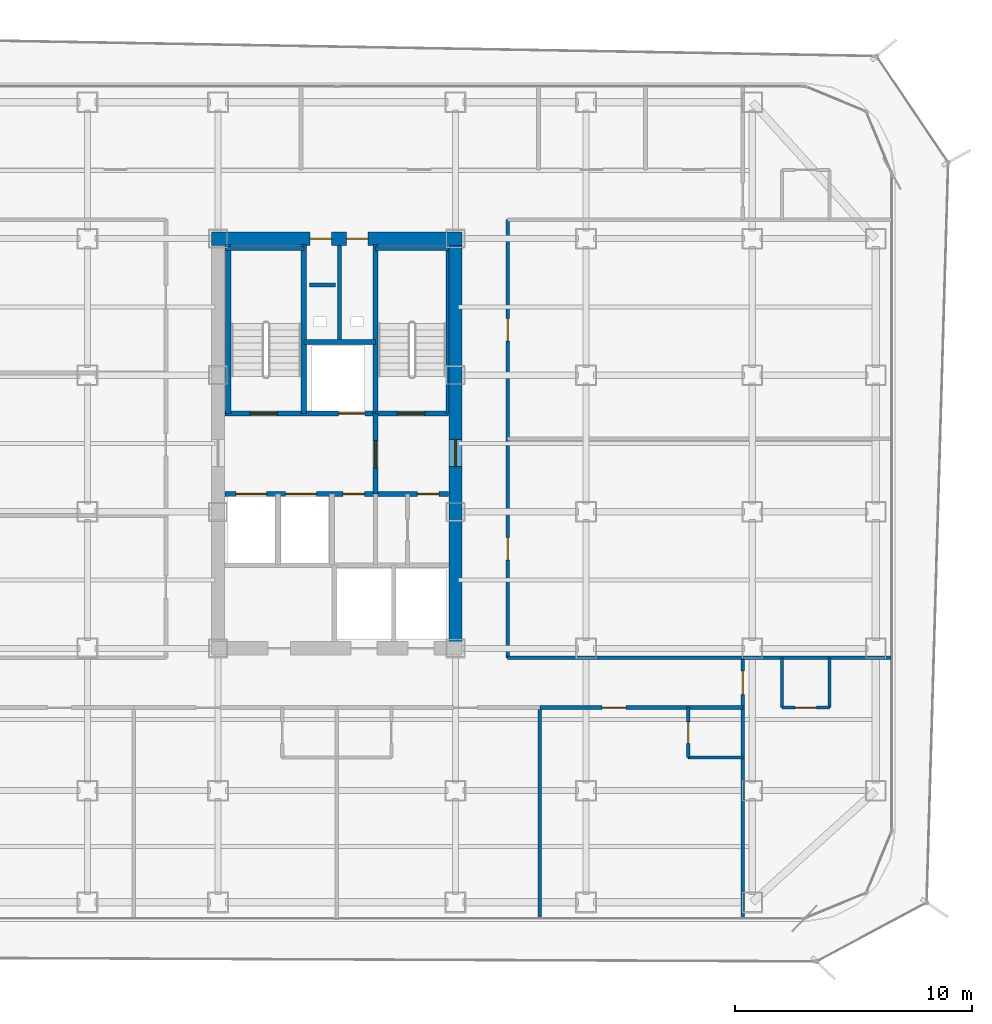
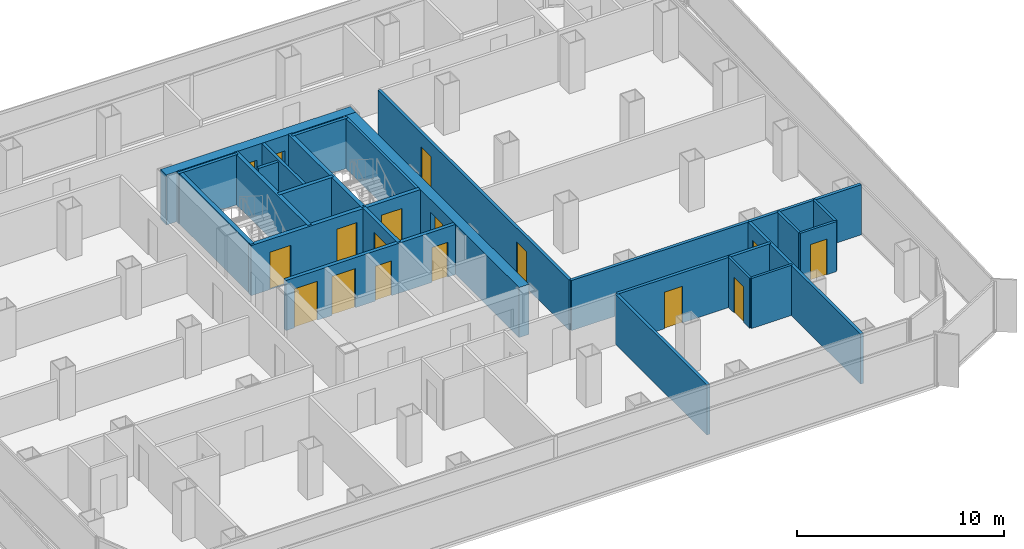
# One storey, part 17 of 21: 27 walls, 17 doors, 17 openings.
"""IFC4 building model written with IfcOpenShell, lengths in metres."""

from ifc_helpers import new_model, si_unit, direction, frame, frame_2d, origin, place, context, subcontext, project, spatial, rectangle, extrude, material, layer, layer_set, type_object, element, fill, save


model = new_model("IFC4")

# Units and contexts
model_context = context("Model", 3, precision=1e-05, world=origin(), true_north=direction((0.0, 1.0)))
body_context = subcontext(model_context, "Body", "Model", "MODEL_VIEW")
ifc_project = project(units=[si_unit("LENGTHUNIT", "METRE"), si_unit("AREAUNIT", "SQUARE_METRE"), si_unit("VOLUMEUNIT", "CUBIC_METRE"), si_unit("PLANEANGLEUNIT", "RADIAN"), si_unit("MASSUNIT", "GRAM", prefix="KILO")], contexts=[model_context])

# Site, building, storey
site_placement = place(None, origin())
site = spatial("IfcSite", under=ifc_project, at=site_placement, CompositionType="ELEMENT")
building_placement = place(site_placement, origin())
building = spatial("IfcBuilding", under=site, at=building_placement, Name="Kolveth Station Tower", CompositionType="ELEMENT")
storey_placement = place(building_placement, frame((0.0, 0.0, 108.699951171875)))
storey = spatial("IfcBuildingStorey", under=building, at=storey_placement, Name="L29", CompositionType="ELEMENT", Elevation=108.699951171875)

# Wall, openings, doors
ifc_material_1 = material(Name="Concrete C60/75", Category="concrete")
ifc_layer_1 = layer(ifc_material_1, 0.550048828125)
ifc_layer_set_1 = layer_set([ifc_layer_1], Name="Concrete C60/75")
wall_type_1 = type_object("IfcWallType", Name="Wall_CW-550", PredefinedType="SHEAR", material=ifc_layer_set_1)
wall_1_placement = place(storey_placement, frame((18.22509765625, 28.75, 0.0), z_axis=(0.0, 0.0, 1.0), x_axis=(1.0, 0.0, 0.0)))
wall_1 = element("IfcWall", 1, at=wall_1_placement, inside=storey, type_object=wall_type_1, Name="L29 Core RC Shear Wall N", PredefinedType="SHEAR", context=body_context, shape_type="SweptSolid", body=[
    extrude(rectangle(XDim=10.5498046875, YDim=0.550048828125, at=frame_2d((5.27490234375, 0.0))), origin(), (0.0, 0.0, 1.0), 2.949951171875),
])
opening_1_placement = place(wall_1_placement, frame((4.155029296875, 0.0, 0.0)))
opening_1 = element("IfcOpeningElement", 2, at=opening_1_placement, cuts=wall_1, Name="Opening RD1", PredefinedType="OPENING", context=body_context, shape_type="SweptSolid", body=[
    extrude(rectangle(XDim=0.89990234375, YDim=2.050048828125, at=frame_2d((0.449951171875, 1.02490234375))), frame((0.0, 0.284912109375, 0.0), z_axis=(0.0, -1.0, 0.0), x_axis=(1.0, 0.0, 0.0)), (0.0, 0.0, 1.0), 0.570068359375),
])
opening_2_placement = place(wall_1_placement, frame((5.695068359375, 0.0, 0.0)))
opening_2 = element("IfcOpeningElement", 3, at=opening_2_placement, cuts=wall_1, Name="Opening RD1", PredefinedType="OPENING", context=body_context, shape_type="SweptSolid", body=[
    extrude(rectangle(XDim=0.89990234375, YDim=2.050048828125, at=frame_2d((0.449951171875, 1.02490234375))), frame((0.0, 0.284912109375, 0.0), z_axis=(0.0, -1.0, 0.0), x_axis=(1.0, 0.0, 0.0)), (0.0, 0.0, 1.0), 0.570068359375),
])
ifc_material_2 = material(Name="Fire-rated Steel S355 riser access leaf", Category="steel")
door_type_1 = type_object("IfcDoorType", Name="Door_RD1", OperationType="NOTDEFINED", PredefinedType="DOOR", material=ifc_material_2)
door_1_placement = place(opening_1_placement, origin())
door_1 = element("IfcDoor", 4, at=door_1_placement, inside=storey, type_object=door_type_1, Name="L29 Electrical Riser Access Door", OperationType="SINGLE_SWING_LEFT", OverallHeight=2.050048828125, OverallWidth=0.89990234375, PredefinedType="DOOR", context=body_context, shape_type="SweptSolid", body=[
    extrude(rectangle(XDim=0.89990234375, YDim=2.050048828125, at=frame_2d((0.449951171875, 1.02490234375))), frame((0.0, 0.02490234375, 0.0), z_axis=(0.0, -1.0, 0.0), x_axis=(1.0, 0.0, 0.0)), (0.0, 0.0, 1.0), 0.050048828125),
])
fill(opening_1, door_1)
door_2_placement = place(opening_2_placement, origin())
door_2 = element("IfcDoor", 5, at=door_2_placement, inside=storey, type_object=door_type_1, Name="L29 Smoke Duct Access Door", OperationType="SINGLE_SWING_LEFT", OverallHeight=2.050048828125, OverallWidth=0.89990234375, PredefinedType="DOOR", context=body_context, shape_type="SweptSolid", body=[
    extrude(rectangle(XDim=0.89990234375, YDim=2.050048828125, at=frame_2d((0.449951171875, 1.02490234375))), frame((0.0, 0.02490234375, 0.0), z_axis=(0.0, -1.0, 0.0), x_axis=(1.0, 0.0, 0.0)), (0.0, 0.0, 1.0), 0.050048828125),
])
fill(opening_2, door_2)

# Wall, opening, door
wall_2_placement = place(storey_placement, frame((28.5, 11.77490234375, 0.0), z_axis=(0.0, 0.0, 1.0), x_axis=(0.0, 1.0, 0.0)))
wall_2 = element("IfcWall", 6, at=wall_2_placement, inside=storey, type_object=wall_type_1, Name="L29 Core RC Shear Wall E", PredefinedType="SHEAR", context=body_context, shape_type="SweptSolid", body=[
    extrude(rectangle(XDim=16.7001953125, YDim=0.550048828125, at=frame_2d((8.35009765625, 0.0))), origin(), (0.0, 0.0, 1.0), 2.949951171875),
])
opening_3_placement = place(wall_2_placement, frame((7.375, 0.0, 0.0)))
opening_3 = element("IfcOpeningElement", 7, at=opening_3_placement, cuts=wall_2, Name="Opening FD1", PredefinedType="OPENING", context=body_context, shape_type="SweptSolid", body=[
    extrude(rectangle(XDim=1.14990234375, YDim=2.199951171875, at=frame_2d((0.574951171875, 1.10009765625))), frame((0.0, 0.284912109375, 0.0), z_axis=(0.0, -1.0, 0.0), x_axis=(1.0, 0.0, 0.0)), (0.0, 0.0, 1.0), 0.570068359375),
])
ifc_material_3 = material(Name="Fire-rated Steel S355 leaf and frame", Category="steel")
door_type_2 = type_object("IfcDoorType", Name="Door_FD1", OperationType="NOTDEFINED", PredefinedType="DOOR", material=ifc_material_3)
door_3_placement = place(opening_3_placement, origin())
door_3 = element("IfcDoor", 8, at=door_3_placement, inside=storey, type_object=door_type_2, Name="L29 East Corridor to Stair Lobby Door", OperationType="SINGLE_SWING_RIGHT", OverallHeight=2.199951171875, OverallWidth=1.14990234375, PredefinedType="DOOR", context=body_context, shape_type="SweptSolid", body=[
    extrude(rectangle(XDim=1.14990234375, YDim=2.199951171875, at=frame_2d((0.574951171875, 1.10009765625))), frame((0.0, 0.02490234375, 0.0), z_axis=(0.0, -1.0, 0.0), x_axis=(1.0, 0.0, 0.0)), (0.0, 0.0, 1.0), 0.050048828125),
])
fill(opening_3, door_3)

# Walls
ifc_material_4 = material(Name="Moisture-resistant gypsum partition")
ifc_layer_2 = layer(ifc_material_4, 0.135009765625)
ifc_layer_set_2 = layer_set([ifc_layer_2], Name="Moisture-resistant gypsum partition")
wall_type_2 = type_object("IfcWallType", Name="Wall_IW-135", PredefinedType="PARTITIONING", material=ifc_layer_set_2)
wall_3_placement = place(storey_placement, frame((28.16748046875, 21.389892578125, 0.0), z_axis=(0.0, 0.0, 1.0), x_axis=(0.0, 1.0, 0.0)))
element("IfcWall", 9, at=wall_3_placement, inside=storey, type_object=wall_type_2, Name="L29 Stair Shaft Wall WL-L29-ST2-E", PredefinedType="PARTITIONING", context=body_context, shape_type="SweptSolid", body=[
    extrude(rectangle(XDim=6.945068359375, YDim=0.135009765625, at=frame_2d((3.47265625, 0.0))), origin(), (0.0, 0.0, 1.0), 2.949951171875),
])
for number, where, z_axis, x_axis, name in (
    (10, (42.25, 9.0, 0.0), (0.0, 0.0, 1.0), (0.0, 1.0, 0.0), "L29 Partition Wall WL-L29-ES1-BV1"),
    (11, (44.25, 9.0, 0.0), (0.0, 0.0, 1.0), (0.0, 1.0, 0.0), "L29 Partition Wall WL-L29-ES1-BV2"),
):
    element("IfcWall", number, at=place(storey_placement, frame(where, z_axis=z_axis, x_axis=x_axis)), inside=storey, type_object=wall_type_2, Name=name, PredefinedType="PARTITIONING", context=body_context, shape_type="SweptSolid", body=[
        extrude(rectangle(XDim=2.10009765625, YDim=0.135009765625, at=frame_2d((1.050048828125, 0.0))), origin(), (0.0, 0.0, 1.0), 2.949951171875),
    ])

# Wall, opening, door
wall_4_placement = place(storey_placement, frame((42.25, 9.0, 0.0), z_axis=(0.0, 0.0, 1.0), x_axis=(1.0, 0.0, 0.0)))
wall_4 = element("IfcWall", 12, at=wall_4_placement, inside=storey, type_object=wall_type_2, Name="L29 Partition Wall WL-L29-ES1-BH", PredefinedType="PARTITIONING", context=body_context, shape_type="SweptSolid", body=[
    extrude(rectangle(XDim=2.0, YDim=0.135009765625, at=frame_2d((1.0, 0.0))), origin(), (0.0, 0.0, 1.0), 2.949951171875),
])
opening_4_placement = place(wall_4_placement, frame((0.5400390625, 0.0, 0.0)))
opening_4 = element("IfcOpeningElement", 13, at=opening_4_placement, cuts=wall_4, Name="Opening ID2", PredefinedType="OPENING", context=body_context, shape_type="SweptSolid", body=[
    extrude(rectangle(XDim=0.919921875, YDim=2.10009765625, at=frame_2d((0.4599609375, 1.050048828125))), frame((0.0, 0.077392578125, 0.0), z_axis=(0.0, -1.0, 0.0), x_axis=(1.0, 0.0, 0.0)), (0.0, 0.0, 1.0), 0.155029296875),
])
ifc_material_5 = material(Name="Moisture-resistant hardwood leaf", Category="wood")
door_type_3 = type_object("IfcDoorType", Name="Door_ID2", OperationType="NOTDEFINED", PredefinedType="DOOR", material=ifc_material_5)
door_4_placement = place(opening_4_placement, origin())
door_4 = element("IfcDoor", 14, at=door_4_placement, inside=storey, type_object=door_type_3, Name="L29 Hotel Guest Room ES1 En-Suite Door", OperationType="SINGLE_SWING_RIGHT", OverallHeight=2.10009765625, OverallWidth=0.919921875, PredefinedType="DOOR", context=body_context, shape_type="SweptSolid", body=[
    extrude(rectangle(XDim=0.919921875, YDim=2.10009765625, at=frame_2d((0.4599609375, 1.050048828125))), frame((0.0, 0.02490234375, 0.0), z_axis=(0.0, -1.0, 0.0), x_axis=(1.0, 0.0, 0.0)), (0.0, 0.0, 1.0), 0.050048828125),
])
fill(opening_4, door_4)

wall_5_placement = place(storey_placement, frame((38.300048828125, 6.89990234375, 0.0), z_axis=(0.0, 0.0, 1.0), x_axis=(0.0, 1.0, 0.0)))
wall_5 = element("IfcWall", 15, at=wall_5_placement, inside=storey, type_object=wall_type_2, Name="L29 Partition Wall WL-L29-HS4-BV", PredefinedType="PARTITIONING", context=body_context, shape_type="SweptSolid", body=[
    extrude(rectangle(XDim=2.10009765625, YDim=0.135009765625, at=frame_2d((1.050048828125, 0.0))), origin(), (0.0, 0.0, 1.0), 2.949951171875),
])
opening_5_placement = place(wall_5_placement, frame((0.580078125, 0.0, 0.0)))
opening_5 = element("IfcOpeningElement", 16, at=opening_5_placement, cuts=wall_5, Name="Opening ID2", PredefinedType="OPENING", context=body_context, shape_type="SweptSolid", body=[
    extrude(rectangle(XDim=0.919921875, YDim=2.10009765625, at=frame_2d((0.4599609375, 1.050048828125))), frame((0.0, 0.077392578125, 0.0), z_axis=(0.0, -1.0, 0.0), x_axis=(1.0, 0.0, 0.0)), (0.0, 0.0, 1.0), 0.155029296875),
])
door_5_placement = place(opening_5_placement, origin())
door_5 = element("IfcDoor", 17, at=door_5_placement, inside=storey, type_object=door_type_3, Name="L29 Hotel Corner Suite HS4 En-Suite Door", OperationType="SINGLE_SWING_RIGHT", OverallHeight=2.10009765625, OverallWidth=0.919921875, PredefinedType="DOOR", context=body_context, shape_type="SweptSolid", body=[
    extrude(rectangle(XDim=0.919921875, YDim=2.10009765625, at=frame_2d((0.4599609375, 1.050048828125))), frame((0.0, 0.02490234375, 0.0), z_axis=(0.0, -1.0, 0.0), x_axis=(1.0, 0.0, 0.0)), (0.0, 0.0, 1.0), 0.050048828125),
])
fill(opening_5, door_5)

# Walls
wall_6_placement = place(storey_placement, frame((38.300048828125, 6.89990234375, 0.0), z_axis=(0.0, 0.0, 1.0), x_axis=(1.0, 0.0, 0.0)))
element("IfcWall", 18, at=wall_6_placement, inside=storey, type_object=wall_type_2, Name="L29 Partition Wall WL-L29-HS4-BH", PredefinedType="PARTITIONING", context=body_context, shape_type="SweptSolid", body=[
    extrude(rectangle(XDim=2.300048828125, YDim=0.135009765625, at=frame_2d((1.14990234375, 0.0))), origin(), (0.0, 0.0, 1.0), 2.949951171875),
])
ifc_material_6 = material(Name="Acoustic double-stud gypsum partition")
ifc_layer_3 = layer(ifc_material_6, 0.1650390625)
ifc_layer_set_3 = layer_set([ifc_layer_3], Name="Acoustic double-stud gypsum partition")
wall_type_3 = type_object("IfcWallType", Name="Wall_IW-165", PredefinedType="PARTITIONING", material=ifc_layer_set_3)
wall_7_placement = place(storey_placement, frame((18.784912109375, 28.3349609375, 0.0), z_axis=(0.0, 0.0, 1.0), x_axis=(1.0, 0.0, 0.0)))
element("IfcWall", 19, at=wall_7_placement, inside=storey, type_object=wall_type_3, Name="L29 Stair Shaft Wall WL-L29-ST1-N", PredefinedType="PARTITIONING", context=body_context, shape_type="SweptSolid", body=[
    extrude(rectangle(XDim=3.3251953125, YDim=0.1650390625, at=frame_2d((1.66259765625, 0.0))), origin(), (0.0, 0.0, 1.0), 2.949951171875),
])
wall_8_placement = place(storey_placement, frame((25.1298828125, 28.3349609375, 0.0), z_axis=(0.0, 0.0, 1.0), x_axis=(1.0, 0.0, 0.0)))
element("IfcWall", 20, at=wall_8_placement, inside=storey, type_object=wall_type_3, Name="L29 Stair Shaft Wall WL-L29-ST2-N", PredefinedType="PARTITIONING", context=body_context, shape_type="SweptSolid", body=[
    extrude(rectangle(XDim=3.085205078125, YDim=0.1650390625, at=frame_2d((1.54248046875, 0.0))), origin(), (0.0, 0.0, 1.0), 2.949951171875),
])
wall_9_placement = place(storey_placement, frame((23.6201171875, 24.39990234375, 0.0), z_axis=(0.0, 0.0, 1.0), x_axis=(0.0, 1.0, 0.0)))
element("IfcWall", 21, at=wall_9_placement, inside=storey, type_object=wall_type_3, Name="L29 Partition Wall WL-L29-RSR-M", PredefinedType="PARTITIONING", context=body_context, shape_type="SweptSolid", body=[
    extrude(rectangle(XDim=4.065185546875, YDim=0.1650390625, at=frame_2d((2.03271484375, 0.0))), origin(), (0.0, 0.0, 1.0), 2.949951171875),
])
wall_10_placement = place(storey_placement, frame((30.699951171875, 11.10009765625, 0.0), z_axis=(0.0, 0.0, 1.0), x_axis=(1.0, 0.0, 0.0)))
element("IfcWall", 22, at=wall_10_placement, inside=storey, type_object=wall_type_3, Name="L29 Partition Wall WL-L29-HSET", PredefinedType="PARTITIONING", context=body_context, shape_type="SweptSolid", body=[
    extrude(rectangle(XDim=9.900146484375, YDim=0.1650390625, at=frame_2d((4.9501953125, 0.0))), origin(), (0.0, 0.0, 1.0), 2.949951171875),
])

# Wall, openings, doors
wall_11_placement = place(storey_placement, frame((30.699951171875, 11.10009765625, 0.0), z_axis=(0.0, 0.0, 1.0), x_axis=(0.0, 1.0, 0.0)))
wall_11 = element("IfcWall", 23, at=wall_11_placement, inside=storey, type_object=wall_type_3, Name="L29 Partition Wall WL-L29-HE", PredefinedType="PARTITIONING", context=body_context, shape_type="SweptSolid", body=[
    extrude(rectangle(XDim=18.449951171875, YDim=0.1650390625, at=frame_2d((9.22509765625, 0.0))), origin(), (0.0, 0.0, 1.0), 2.949951171875),
])
opening_6_placement = place(wall_11_placement, frame((4.112060546875, 0.0, 0.0)))
opening_6 = element("IfcOpeningElement", 24, at=opening_6_placement, cuts=wall_11, Name="Opening ID1", PredefinedType="OPENING", context=body_context, shape_type="SweptSolid", body=[
    extrude(rectangle(XDim=0.949951171875, YDim=2.14990234375, at=frame_2d((0.47509765625, 1.074951171875))), frame((0.0, 0.092529296875, 0.0), z_axis=(0.0, -1.0, 0.0), x_axis=(1.0, 0.0, 0.0)), (0.0, 0.0, 1.0), 0.18505859375),
])
opening_7_placement = place(wall_11_placement, frame((13.337890625, 0.0, 0.0)))
opening_7 = element("IfcOpeningElement", 25, at=opening_7_placement, cuts=wall_11, Name="Opening ID1", PredefinedType="OPENING", context=body_context, shape_type="SweptSolid", body=[
    extrude(rectangle(XDim=0.949951171875, YDim=2.14990234375, at=frame_2d((0.47509765625, 1.074951171875))), frame((0.0, 0.092529296875, 0.0), z_axis=(0.0, -1.0, 0.0), x_axis=(1.0, 0.0, 0.0)), (0.0, 0.0, 1.0), 0.18505859375),
])
ifc_material_7 = material(Name="Acoustic hardwood leaf and aluminium frame", Category="wood")
door_type_4 = type_object("IfcDoorType", Name="Door_ID1", OperationType="NOTDEFINED", PredefinedType="DOOR", material=ifc_material_7)
door_6_placement = place(opening_6_placement, origin())
door_6 = element("IfcDoor", 26, at=door_6_placement, inside=storey, type_object=door_type_4, Name="L29 Boardroom East 1 Door", OperationType="SINGLE_SWING_LEFT", OverallHeight=2.14990234375, OverallWidth=0.949951171875, PredefinedType="DOOR", context=body_context, shape_type="SweptSolid", body=[
    extrude(rectangle(XDim=0.949951171875, YDim=2.14990234375, at=frame_2d((0.47509765625, 1.074951171875))), frame((0.0, 0.02490234375, 0.0), z_axis=(0.0, -1.0, 0.0), x_axis=(1.0, 0.0, 0.0)), (0.0, 0.0, 1.0), 0.050048828125),
])
fill(opening_6, door_6)
door_7_placement = place(opening_7_placement, origin())
door_7 = element("IfcDoor", 27, at=door_7_placement, inside=storey, type_object=door_type_4, Name="L29 Boardroom East 2 Door", OperationType="SINGLE_SWING_RIGHT", OverallHeight=2.14990234375, OverallWidth=0.949951171875, PredefinedType="DOOR", context=body_context, shape_type="SweptSolid", body=[
    extrude(rectangle(XDim=0.949951171875, YDim=2.14990234375, at=frame_2d((0.47509765625, 1.074951171875))), frame((0.0, 0.02490234375, 0.0), z_axis=(0.0, -1.0, 0.0), x_axis=(1.0, 0.0, 0.0)), (0.0, 0.0, 1.0), 0.050048828125),
])
fill(opening_7, door_7)

# Wall, opening, door
wall_12_placement = place(storey_placement, frame((40.60009765625, 0.159912109375, 0.0), z_axis=(0.0, 0.0, 1.0), x_axis=(0.0, 1.0, 0.0)))
wall_12 = element("IfcWall", 28, at=wall_12_placement, inside=storey, type_object=wall_type_3, Name="L29 Partition Wall WL-L29-END-ES", PredefinedType="PARTITIONING", context=body_context, shape_type="SweptSolid", body=[
    extrude(rectangle(XDim=10.940185546875, YDim=0.1650390625, at=frame_2d((5.47021484375, 0.0))), origin(), (0.0, 0.0, 1.0), 2.949951171875),
])
opening_8_placement = place(wall_12_placement, frame((9.389892578125, 0.0, 0.0)))
opening_8 = element("IfcOpeningElement", 29, at=opening_8_placement, cuts=wall_12, Name="Opening FD3", PredefinedType="OPENING", context=body_context, shape_type="SweptSolid", body=[
    extrude(rectangle(XDim=1.0, YDim=2.14990234375, at=frame_2d((0.5, 1.074951171875))), frame((0.0, 0.092529296875, 0.0), z_axis=(0.0, -1.0, 0.0), x_axis=(1.0, 0.0, 0.0)), (0.0, 0.0, 1.0), 0.18505859375),
])
ifc_material_8 = material(Name="Fire-rated hardwood leaf and aluminium frame", Category="wood")
door_type_5 = type_object("IfcDoorType", Name="Door_FD3", OperationType="NOTDEFINED", PredefinedType="DOOR", material=ifc_material_8)
door_8_placement = place(opening_8_placement, frame((1.0, 0.0, 0.0), z_axis=(0.0, 0.0, 1.0), x_axis=(-1.0, 0.0, 0.0)))
door_8 = element("IfcDoor", 30, at=door_8_placement, inside=storey, type_object=door_type_5, Name="L29 Hotel Guest Room ES1 Entrance Door", OperationType="SINGLE_SWING_LEFT", OverallHeight=2.14990234375, OverallWidth=1.0, PredefinedType="DOOR", context=body_context, shape_type="SweptSolid", body=[
    extrude(rectangle(XDim=1.0, YDim=2.14990234375, at=frame_2d((0.5, 1.074951171875))), frame((0.0, 0.02490234375, 0.0), z_axis=(0.0, -1.0, 0.0), x_axis=(1.0, 0.0, 0.0)), (0.0, 0.0, 1.0), 0.050048828125),
])
fill(opening_8, door_8)

# Walls
wall_13_placement = place(storey_placement, frame((40.60009765625, 11.10009765625, 0.0), z_axis=(0.0, 0.0, 1.0), x_axis=(1.0, 0.0, 0.0)))
element("IfcWall", 31, at=wall_13_placement, inside=storey, type_object=wall_type_3, Name="L29 Partition Wall WL-L29-EM1", PredefinedType="PARTITIONING", context=body_context, shape_type="SweptSolid", body=[
    extrude(rectangle(XDim=6.239990234375, YDim=0.1650390625, at=frame_2d((3.1201171875, 0.0))), origin(), (0.0, 0.0, 1.0), 2.949951171875),
])
wall_14_placement = place(storey_placement, frame((32.050048828125, 0.159912109375, 0.0), z_axis=(0.0, 0.0, 1.0), x_axis=(0.0, 1.0, 0.0)))
element("IfcWall", 32, at=wall_14_placement, inside=storey, type_object=wall_type_3, Name="L29 Partition Wall WL-L29-HSK-3", PredefinedType="PARTITIONING", context=body_context, shape_type="SweptSolid", body=[
    extrude(rectangle(XDim=8.840087890625, YDim=0.1650390625, at=frame_2d((4.419921875, 0.0))), origin(), (0.0, 0.0, 1.0), 2.949951171875),
])
wall_15_placement = place(storey_placement, frame((38.300048828125, 9.0, 0.0), z_axis=(0.0, 0.0, 1.0), x_axis=(1.0, 0.0, 0.0)))
element("IfcWall", 33, at=wall_15_placement, inside=storey, type_object=wall_type_3, Name="L29 Partition Wall WL-L29-HS4-BCOR", PredefinedType="PARTITIONING", context=body_context, shape_type="SweptSolid", body=[
    extrude(rectangle(XDim=2.300048828125, YDim=0.1650390625, at=frame_2d((1.14990234375, 0.0))), origin(), (0.0, 0.0, 1.0), 2.949951171875),
])

# Wall, opening, door
wall_16_placement = place(storey_placement, frame((32.050048828125, 9.0, 0.0), z_axis=(0.0, 0.0, 1.0), x_axis=(1.0, 0.0, 0.0)))
wall_16 = element("IfcWall", 34, at=wall_16_placement, inside=storey, type_object=wall_type_3, Name="L29 Partition Wall WL-L29-HS4-RCOR", PredefinedType="PARTITIONING", context=body_context, shape_type="SweptSolid", body=[
    extrude(rectangle(XDim=6.25, YDim=0.1650390625, at=frame_2d((3.125, 0.0))), origin(), (0.0, 0.0, 1.0), 2.949951171875),
])
opening_9_placement = place(wall_16_placement, frame((2.625, 0.0, 0.0)))
opening_9 = element("IfcOpeningElement", 35, at=opening_9_placement, cuts=wall_16, Name="Opening FD3", PredefinedType="OPENING", context=body_context, shape_type="SweptSolid", body=[
    extrude(rectangle(XDim=1.0, YDim=2.14990234375, at=frame_2d((0.5, 1.074951171875))), frame((0.0, 0.092529296875, 0.0), z_axis=(0.0, -1.0, 0.0), x_axis=(1.0, 0.0, 0.0)), (0.0, 0.0, 1.0), 0.18505859375),
])
door_9_placement = place(opening_9_placement, frame((1.0, 0.0, 0.0), z_axis=(0.0, 0.0, 1.0), x_axis=(-1.0, 0.0, 0.0)))
door_9 = element("IfcDoor", 36, at=door_9_placement, inside=storey, type_object=door_type_5, Name="L29 Hotel Corner Suite HS4 Entrance Door", OperationType="SINGLE_SWING_LEFT", OverallHeight=2.14990234375, OverallWidth=1.0, PredefinedType="DOOR", context=body_context, shape_type="SweptSolid", body=[
    extrude(rectangle(XDim=1.0, YDim=2.14990234375, at=frame_2d((0.5, 1.074951171875))), frame((0.0, 0.02490234375, 0.0), z_axis=(0.0, -1.0, 0.0), x_axis=(1.0, 0.0, 0.0)), (0.0, 0.0, 1.0), 0.050048828125),
])
fill(opening_9, door_9)

# Walls
wall_17_placement = place(storey_placement, frame((22.35009765625, 26.800048828125, 0.0), z_axis=(0.0, 0.0, 1.0), x_axis=(1.0, 0.0, 0.0)))
element("IfcWall", 37, at=wall_17_placement, inside=storey, type_object=wall_type_3, Name="L29 Acoustic Riser Dry-Lining Wall", PredefinedType="PARTITIONING", context=body_context, shape_type="SweptSolid", body=[
    extrude(rectangle(XDim=1.099853515625, YDim=0.1650390625, at=frame_2d((0.5498046875, 0.0))), origin(), (0.0, 0.0, 1.0), 2.949951171875),
])
ifc_material_9 = material(Name="Acoustic fire-rated gypsum blockwork", Category="masonry")
ifc_layer_4 = layer(ifc_material_9, 0.199951171875)
ifc_layer_set_4 = layer_set([ifc_layer_4], Name="Acoustic fire-rated gypsum blockwork")
wall_type_4 = type_object("IfcWallType", Name="Wall_IW-200", PredefinedType="PARTITIONING", material=ifc_layer_set_4)
wall_18_placement = place(storey_placement, frame((22.110107421875, 24.39990234375, 0.0), z_axis=(0.0, 0.0, 1.0), x_axis=(1.0, 0.0, 0.0)))
element("IfcWall", 38, at=wall_18_placement, inside=storey, type_object=wall_type_4, Name="L29 Partition Wall WL-L29-RSR-S", PredefinedType="PARTITIONING", context=body_context, shape_type="SweptSolid", body=[
    extrude(rectangle(XDim=3.019775390625, YDim=0.199951171875, at=frame_2d((1.509765625, 0.0))), origin(), (0.0, 0.0, 1.0), 2.949951171875),
])

# Wall, opening, door
wall_19_placement = place(storey_placement, frame((25.1298828125, 18.0, 0.0), z_axis=(0.0, 0.0, 1.0), x_axis=(0.0, 1.0, 0.0)))
wall_19 = element("IfcWall", 39, at=wall_19_placement, inside=storey, type_object=wall_type_4, Name="L29 Partition Wall WL-L29-FFL-E", PredefinedType="PARTITIONING", context=body_context, shape_type="SweptSolid", body=[
    extrude(rectangle(XDim=3.389892578125, YDim=0.199951171875, at=frame_2d((1.69482421875, 0.0))), origin(), (0.0, 0.0, 1.0), 2.949951171875),
])
opening_10_placement = place(wall_19_placement, frame((1.10009765625, 0.0, 0.0)))
opening_10 = element("IfcOpeningElement", 40, at=opening_10_placement, cuts=wall_19, Name="Opening FD1", PredefinedType="OPENING", context=body_context, shape_type="SweptSolid", body=[
    extrude(rectangle(XDim=1.14990234375, YDim=2.199951171875, at=frame_2d((0.574951171875, 1.10009765625))), frame((0.0, 0.10986328125, 0.0), z_axis=(0.0, -1.0, 0.0), x_axis=(1.0, 0.0, 0.0)), (0.0, 0.0, 1.0), 0.219970703125),
])
door_10_placement = place(opening_10_placement, origin())
door_10 = element("IfcDoor", 41, at=door_10_placement, inside=storey, type_object=door_type_2, Name="L29 Firefighting to Stair Lobby Door", OperationType="SINGLE_SWING_LEFT", OverallHeight=2.199951171875, OverallWidth=1.14990234375, PredefinedType="DOOR", context=body_context, shape_type="SweptSolid", body=[
    extrude(rectangle(XDim=1.14990234375, YDim=2.199951171875, at=frame_2d((0.574951171875, 1.10009765625))), frame((0.0, 0.02490234375, 0.0), z_axis=(0.0, -1.0, 0.0), x_axis=(1.0, 0.0, 0.0)), (0.0, 0.0, 1.0), 0.050048828125),
])
fill(opening_10, door_10)

# Wall, openings, doors
wall_20_placement = place(storey_placement, frame((18.784912109375, 18.0, 0.0), z_axis=(0.0, 0.0, 1.0), x_axis=(1.0, 0.0, 0.0)))
wall_20 = element("IfcWall", 42, at=wall_20_placement, inside=storey, type_object=wall_type_4, Name="L29 Partition Wall WL-L29-FFL-S", PredefinedType="PARTITIONING", context=body_context, shape_type="SweptSolid", body=[
    extrude(rectangle(XDim=9.43017578125, YDim=0.199951171875, at=frame_2d((4.715087890625, 0.0))), origin(), (0.0, 0.0, 1.0), 2.949951171875),
])
opening_11_placement = place(wall_20_placement, frame((0.465087890625, 0.0, 0.0)))
opening_11 = element("IfcOpeningElement", 43, at=opening_11_placement, cuts=wall_20, Name="Opening LD2", PredefinedType="OPENING", context=body_context, shape_type="SweptSolid", body=[
    extrude(rectangle(XDim=1.300048828125, YDim=2.300048828125, at=frame_2d((0.64990234375, 1.14990234375))), frame((0.0, 0.10986328125, 0.0), z_axis=(0.0, -1.0, 0.0), x_axis=(1.0, 0.0, 0.0)), (0.0, 0.0, 1.0), 0.219970703125),
])
opening_12_placement = place(wall_20_placement, frame((2.56494140625, 0.0, 0.0)))
opening_12 = element("IfcOpeningElement", 44, at=opening_12_placement, cuts=wall_20, Name="Opening LD2", PredefinedType="OPENING", context=body_context, shape_type="SweptSolid", body=[
    extrude(rectangle(XDim=1.300048828125, YDim=2.300048828125, at=frame_2d((0.64990234375, 1.14990234375))), frame((0.0, 0.10986328125, 0.0), z_axis=(0.0, -1.0, 0.0), x_axis=(1.0, 0.0, 0.0)), (0.0, 0.0, 1.0), 0.219970703125),
])
opening_13_placement = place(wall_20_placement, frame((4.985107421875, 0.0, 0.0)))
opening_13 = element("IfcOpeningElement", 45, at=opening_13_placement, cuts=wall_20, Name="Opening RD1", PredefinedType="OPENING", context=body_context, shape_type="SweptSolid", body=[
    extrude(rectangle(XDim=0.89990234375, YDim=2.050048828125, at=frame_2d((0.449951171875, 1.02490234375))), frame((0.0, 0.10986328125, 0.0), z_axis=(0.0, -1.0, 0.0), x_axis=(1.0, 0.0, 0.0)), (0.0, 0.0, 1.0), 0.219970703125),
])
opening_14_placement = place(wall_20_placement, frame((8.114990234375, 0.0, 0.0)))
opening_14 = element("IfcOpeningElement", 46, at=opening_14_placement, cuts=wall_20, Name="Opening RD1", PredefinedType="OPENING", context=body_context, shape_type="SweptSolid", body=[
    extrude(rectangle(XDim=0.89990234375, YDim=2.050048828125, at=frame_2d((0.449951171875, 1.02490234375))), frame((0.0, 0.10986328125, 0.0), z_axis=(0.0, -1.0, 0.0), x_axis=(1.0, 0.0, 0.0)), (0.0, 0.0, 1.0), 0.219970703125),
])
ifc_material_10 = material(Name="Firefighting stainless steel sliding landing doors", Category="steel")
door_type_6 = type_object("IfcDoorType", Name="Door_LD2", OperationType="NOTDEFINED", PredefinedType="DOOR", material=ifc_material_10)
door_11_placement = place(opening_11_placement, origin())
door_11 = element("IfcDoor", 47, at=door_11_placement, inside=storey, type_object=door_type_6, Name="L29 Firefighting Lift FF1 Landing Door", OperationType="DOUBLE_DOOR_SLIDING", OverallHeight=2.300048828125, OverallWidth=1.300048828125, PredefinedType="DOOR", context=body_context, shape_type="SweptSolid", body=[
    extrude(rectangle(XDim=1.300048828125, YDim=2.300048828125, at=frame_2d((0.64990234375, 1.14990234375))), frame((0.0, 0.02490234375, 0.0), z_axis=(0.0, -1.0, 0.0), x_axis=(1.0, 0.0, 0.0)), (0.0, 0.0, 1.0), 0.050048828125),
])
fill(opening_11, door_11)
door_12_placement = place(opening_12_placement, origin())
door_12 = element("IfcDoor", 48, at=door_12_placement, inside=storey, type_object=door_type_6, Name="L29 Firefighting Lift FF2 Landing Door", OperationType="DOUBLE_DOOR_SLIDING", OverallHeight=2.300048828125, OverallWidth=1.300048828125, PredefinedType="DOOR", context=body_context, shape_type="SweptSolid", body=[
    extrude(rectangle(XDim=1.300048828125, YDim=2.300048828125, at=frame_2d((0.64990234375, 1.14990234375))), frame((0.0, 0.02490234375, 0.0), z_axis=(0.0, -1.0, 0.0), x_axis=(1.0, 0.0, 0.0)), (0.0, 0.0, 1.0), 0.050048828125),
])
fill(opening_12, door_12)
door_13_placement = place(opening_13_placement, frame((0.89990234375, 0.0, 0.0), z_axis=(0.0, 0.0, 1.0), x_axis=(-1.0, 0.0, 0.0)))
door_13 = element("IfcDoor", 49, at=door_13_placement, inside=storey, type_object=door_type_1, Name="L29 Core Staff WC Door", OperationType="SINGLE_SWING_RIGHT", OverallHeight=2.050048828125, OverallWidth=0.89990234375, PredefinedType="DOOR", context=body_context, shape_type="SweptSolid", body=[
    extrude(rectangle(XDim=0.89990234375, YDim=2.050048828125, at=frame_2d((0.449951171875, 1.02490234375))), frame((0.0, 0.02490234375, 0.0), z_axis=(0.0, -1.0, 0.0), x_axis=(1.0, 0.0, 0.0)), (0.0, 0.0, 1.0), 0.050048828125),
])
fill(opening_13, door_13)
door_14_placement = place(opening_14_placement, frame((0.89990234375, 0.0, 0.0), z_axis=(0.0, 0.0, 1.0), x_axis=(-1.0, 0.0, 0.0)))
door_14 = element("IfcDoor", 50, at=door_14_placement, inside=storey, type_object=door_type_1, Name="L29 Housekeeping and Linen Room Door", OperationType="SINGLE_SWING_RIGHT", OverallHeight=2.050048828125, OverallWidth=0.89990234375, PredefinedType="DOOR", context=body_context, shape_type="SweptSolid", body=[
    extrude(rectangle(XDim=0.89990234375, YDim=2.050048828125, at=frame_2d((0.449951171875, 1.02490234375))), frame((0.0, 0.02490234375, 0.0), z_axis=(0.0, -1.0, 0.0), x_axis=(1.0, 0.0, 0.0)), (0.0, 0.0, 1.0), 0.050048828125),
])
fill(opening_14, door_14)

# Walls
ifc_material_11 = material(Name="Concrete C40/50", Category="concrete")
ifc_layer_5 = layer(ifc_material_11, 0.219970703125)
ifc_layer_set_5 = layer_set([ifc_layer_5], Name="Concrete C40/50")
wall_type_5 = type_object("IfcWallType", Name="Wall_IW-220", PredefinedType="SOLIDWALL", material=ifc_layer_set_5)
for number, where, z_axis, x_axis, name in (
    (51, (18.929931640625, 21.389892578125, 0.0), (0.0, 0.0, 1.0), (0.0, 1.0, 0.0), "L29 Stair Shaft Wall WL-L29-ST1-W"),
    (52, (22.110107421875, 21.389892578125, 0.0), (0.0, 0.0, 1.0), (0.0, 1.0, 0.0), "L29 Stair Shaft Wall WL-L29-ST1-E"),
    (53, (25.1298828125, 21.389892578125, 0.0), (0.0, 0.0, 1.0), (0.0, 1.0, 0.0), "L29 Stair Shaft Wall WL-L29-ST2-W"),
):
    element("IfcWall", number, at=place(storey_placement, frame(where, z_axis=z_axis, x_axis=x_axis)), inside=storey, type_object=wall_type_5, Name=name, PredefinedType="SOLIDWALL", context=body_context, shape_type="SweptSolid", body=[
        extrude(rectangle(XDim=7.110107421875, YDim=0.219970703125, at=frame_2d((3.55517578125, 0.0))), origin(), (0.0, 0.0, 1.0), 2.949951171875),
    ])

# Wall, openings, doors
wall_21_placement = place(storey_placement, frame((18.784912109375, 21.389892578125, 0.0), z_axis=(0.0, 0.0, 1.0), x_axis=(1.0, 0.0, 0.0)))
wall_21 = element("IfcWall", 54, at=wall_21_placement, inside=storey, type_object=wall_type_5, Name="L29 Stair Shaft Wall WL-L29-ST1-S", PredefinedType="SOLIDWALL", context=body_context, shape_type="SweptSolid", body=[
    extrude(rectangle(XDim=6.344970703125, YDim=0.219970703125, at=frame_2d((3.17236328125, 0.0))), origin(), (0.0, 0.0, 1.0), 2.949951171875),
])
opening_15_placement = place(wall_21_placement, frame((1.06494140625, 0.0, 0.0)))
opening_15 = element("IfcOpeningElement", 55, at=opening_15_placement, cuts=wall_21, Name="Opening FD1", PredefinedType="OPENING", context=body_context, shape_type="SweptSolid", body=[
    extrude(rectangle(XDim=1.14990234375, YDim=2.199951171875, at=frame_2d((0.574951171875, 1.10009765625))), frame((0.0, 0.119873046875, 0.0), z_axis=(0.0, -1.0, 0.0), x_axis=(1.0, 0.0, 0.0)), (0.0, 0.0, 1.0), 0.239990234375),
])
opening_16_placement = place(wall_21_placement, frame((4.794921875, 0.0, 0.0)))
opening_16 = element("IfcOpeningElement", 56, at=opening_16_placement, cuts=wall_21, Name="Opening LD1", PredefinedType="OPENING", context=body_context, shape_type="SweptSolid", body=[
    extrude(rectangle(XDim=1.10009765625, YDim=2.25, at=frame_2d((0.550048828125, 1.125))), frame((0.0, 0.119873046875, 0.0), z_axis=(0.0, -1.0, 0.0), x_axis=(1.0, 0.0, 0.0)), (0.0, 0.0, 1.0), 0.239990234375),
])
door_15_placement = place(opening_15_placement, frame((1.14990234375, 0.0, 0.0), z_axis=(0.0, 0.0, 1.0), x_axis=(-1.0, 0.0, 0.0)))
door_15 = element("IfcDoor", 57, at=door_15_placement, inside=storey, type_object=door_type_2, Name="L29 Stair ST1 Fire Door", OperationType="SINGLE_SWING_LEFT", OverallHeight=2.199951171875, OverallWidth=1.14990234375, PredefinedType="DOOR", context=body_context, shape_type="SweptSolid", body=[
    extrude(rectangle(XDim=1.14990234375, YDim=2.199951171875, at=frame_2d((0.574951171875, 1.10009765625))), frame((0.0, 0.02490234375, 0.0), z_axis=(0.0, -1.0, 0.0), x_axis=(1.0, 0.0, 0.0)), (0.0, 0.0, 1.0), 0.050048828125),
])
fill(opening_15, door_15)
ifc_material_12 = material(Name="Brushed stainless steel sliding landing doors", Category="steel")
door_type_7 = type_object("IfcDoorType", Name="Door_LD1", OperationType="NOTDEFINED", PredefinedType="DOOR", material=ifc_material_12)
door_16_placement = place(opening_16_placement, frame((1.10009765625, 0.0, 0.0), z_axis=(0.0, 0.0, 1.0), x_axis=(-1.0, 0.0, 0.0)))
door_16 = element("IfcDoor", 58, at=door_16_placement, inside=storey, type_object=door_type_7, Name="L29 Service Lift SV1 Landing Door", OperationType="DOUBLE_DOOR_SLIDING", OverallHeight=2.25, OverallWidth=1.10009765625, PredefinedType="DOOR", context=body_context, shape_type="SweptSolid", body=[
    extrude(rectangle(XDim=1.10009765625, YDim=2.25, at=frame_2d((0.550048828125, 1.125))), frame((0.0, 0.02490234375, 0.0), z_axis=(0.0, -1.0, 0.0), x_axis=(1.0, 0.0, 0.0)), (0.0, 0.0, 1.0), 0.050048828125),
])
fill(opening_16, door_16)

# Wall, opening, door
wall_22_placement = place(storey_placement, frame((25.1298828125, 21.389892578125, 0.0), z_axis=(0.0, 0.0, 1.0), x_axis=(1.0, 0.0, 0.0)))
wall_22 = element("IfcWall", 59, at=wall_22_placement, inside=storey, type_object=wall_type_5, Name="L29 Stair Shaft Wall WL-L29-ST2-S", PredefinedType="SOLIDWALL", context=body_context, shape_type="SweptSolid", body=[
    extrude(rectangle(XDim=3.085205078125, YDim=0.219970703125, at=frame_2d((1.54248046875, 0.0))), origin(), (0.0, 0.0, 1.0), 2.949951171875),
])
opening_17_placement = place(wall_22_placement, frame((0.919921875, 0.0, 0.0)))
opening_17 = element("IfcOpeningElement", 60, at=opening_17_placement, cuts=wall_22, Name="Opening FD1", PredefinedType="OPENING", context=body_context, shape_type="SweptSolid", body=[
    extrude(rectangle(XDim=1.14990234375, YDim=2.199951171875, at=frame_2d((0.574951171875, 1.10009765625))), frame((0.0, 0.119873046875, 0.0), z_axis=(0.0, -1.0, 0.0), x_axis=(1.0, 0.0, 0.0)), (0.0, 0.0, 1.0), 0.239990234375),
])
door_17_placement = place(opening_17_placement, frame((1.14990234375, 0.0, 0.0), z_axis=(0.0, 0.0, 1.0), x_axis=(-1.0, 0.0, 0.0)))
door_17 = element("IfcDoor", 61, at=door_17_placement, inside=storey, type_object=door_type_2, Name="L29 Stair ST2 Fire Door", OperationType="SINGLE_SWING_RIGHT", OverallHeight=2.199951171875, OverallWidth=1.14990234375, PredefinedType="DOOR", context=body_context, shape_type="SweptSolid", body=[
    extrude(rectangle(XDim=1.14990234375, YDim=2.199951171875, at=frame_2d((0.574951171875, 1.10009765625))), frame((0.0, 0.02490234375, 0.0), z_axis=(0.0, -1.0, 0.0), x_axis=(1.0, 0.0, 0.0)), (0.0, 0.0, 1.0), 0.050048828125),
])
fill(opening_17, door_17)

save(model, "model.ifc")
